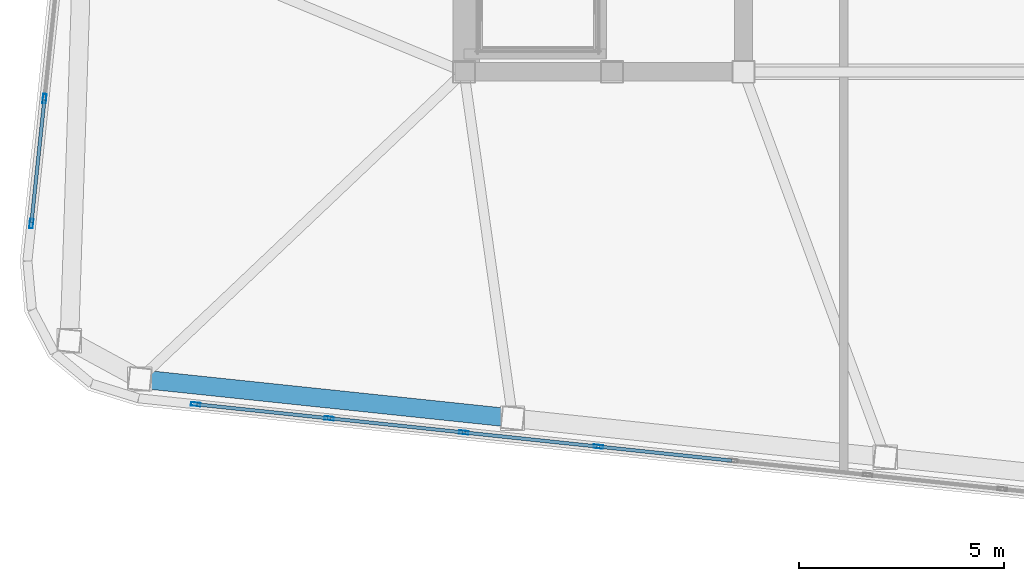
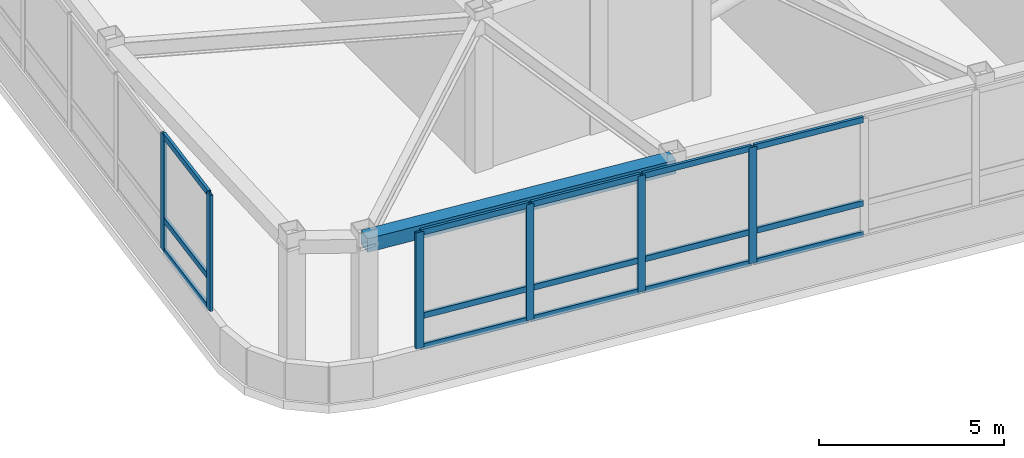
# One storey, part 2 of 23: 21 members, 1 beam, 2 elements without a shape of their own.
"""IFC4 building model written with IfcOpenShell, lengths in metres."""

from ifc_helpers import new_model, si_unit, direction, frame, origin, origin_2d, place, context, subcontext, project, spatial, hollow_rectangle, extrude, material, layer, layer_set, material_profile, profile_set, type_object, element, aggregate, save


model = new_model("IFC4")

# Units and contexts
model_context = context("Model", 3, precision=1e-05, world=origin(), true_north=direction((0.0, 1.0)))
body_context = subcontext(model_context, "Body", "Model", "MODEL_VIEW")
ifc_project = project(units=[si_unit("LENGTHUNIT", "METRE"), si_unit("AREAUNIT", "SQUARE_METRE"), si_unit("VOLUMEUNIT", "CUBIC_METRE"), si_unit("PLANEANGLEUNIT", "RADIAN"), si_unit("MASSUNIT", "GRAM", prefix="KILO")], contexts=[model_context])

# Site, building, storey
site_placement = place(None, origin())
site = spatial("IfcSite", under=ifc_project, at=site_placement, CompositionType="ELEMENT")
building_placement = place(site_placement, origin())
building = spatial("IfcBuilding", under=site, at=building_placement, Name="Voryun Gate Residences", CompositionType="ELEMENT")
storey_placement = place(building_placement, frame((0.0, 0.0, 326.60009765625)))
storey = spatial("IfcBuildingStorey", under=building, at=storey_placement, Name="L80", CompositionType="ELEMENT", Elevation=326.60009765625)

# Beam
ifc_material_1 = material(Name="Steel SM355", Category="steel")
ifc_material_profile_1 = material_profile(ifc_material_1, hollow_rectangle(XDim=0.449951171875, YDim=0.449951171875, WallThickness=0.01806640625, at=origin_2d()), Name="BOX-450x450x18")
ifc_profile_set_1 = profile_set([ifc_material_profile_1], Name="Steel SM355")
beam_type = type_object("IfcBeamType", Name="BM_CROWN_RING", PredefinedType="BEAM", material=ifc_profile_set_1)
beam_placement = place(storey_placement, frame((-27.088623046875, -14.871826171875, 4.7998046875), z_axis=(0.994523919568, -0.104509202498, 0.0), x_axis=(0.104509202498, 0.994523919568, 0.0)))
element("IfcBeam", 1, at=beam_placement, inside=storey, type_object=beam_type, Name="BM-L80-SPAND-01", PredefinedType="BEAM", context=body_context, shape_type="SweptSolid", body=[
    extrude(hollow_rectangle(XDim=0.449951171875, YDim=0.449951171875, WallThickness=0.01806640625, at=origin_2d()), origin(), (0.0, 0.0, 1.0), 9.1201171875),
])

# Curtain wall, members
ifc_material_2 = material(Name="Anodised aluminium", Category="aluminium")
ifc_layer = layer(ifc_material_2, 0.22998046875, Name="CW_SYS_LANTERN_DARK_GLASS")
ifc_layer_set = layer_set([ifc_layer], Name="Anodised aluminium")
curtain_wall_type = type_object("IfcCurtainWallType", Name="CW_SYS_LANTERN_DARK_GLASS", PredefinedType="NOTDEFINED", material=ifc_layer_set)
curtain_wall_1_placement = place(storey_placement, origin())
curtain_wall_1 = element("IfcCurtainWall", 2, at=curtain_wall_1_placement, inside=storey, type_object=curtain_wall_type, Name="Curtain wall CW6-L80-01", PredefinedType="NOTDEFINED")
ifc_material_3 = material(Name="Anodised aluminium", Category="aluminium")
ifc_material_profile_2 = material_profile(ifc_material_3, hollow_rectangle(XDim=0.0849609375, YDim=0.22998046875, WallThickness=0.006103515625, at=origin_2d()), Name="ALU-MULL-230x85x6")
ifc_profile_set_2 = profile_set([ifc_material_profile_2], Name="Anodised aluminium")
member_type_1 = type_object("IfcMemberType", Name="CW_MULL_LANT", PredefinedType="MULLION", material=ifc_profile_set_2)
member_1_placement = place(storey_placement, frame((-15.930908203125, -16.51708984375, 1.18994140625), z_axis=(0.0, 0.0, 1.0), x_axis=(-0.10452775858, -0.994521969434, 0.0)))
member_1 = element("IfcMember", 3, at=member_1_placement, type_object=member_type_1, Name="CW6 mullion 11", PredefinedType="MULLION", context=body_context, shape_type="SweptSolid", body=[
    extrude(hollow_rectangle(XDim=0.0849609375, YDim=0.22998046875, WallThickness=0.006103515625, at=origin_2d()), origin(), (0.0, 0.0, 1.0), 3.8349609375),
])
member_2_placement = place(storey_placement, frame((-19.20751953125, -16.172607421875, 1.18994140625), z_axis=(0.0, 0.0, 1.0), x_axis=(-0.10452775858, -0.994521969434, 0.0)))
member_2 = element("IfcMember", 4, at=member_2_placement, type_object=member_type_1, Name="CW6 mullion 12", PredefinedType="MULLION", context=body_context, shape_type="SweptSolid", body=[
    extrude(hollow_rectangle(XDim=0.0849609375, YDim=0.22998046875, WallThickness=0.006103515625, at=origin_2d()), origin(), (0.0, 0.0, 1.0), 3.8349609375),
])
member_3_placement = place(storey_placement, frame((-22.484130859375, -15.828369140625, 1.18994140625), z_axis=(0.0, 0.0, 1.0), x_axis=(-0.10452775858, -0.994521969434, 0.0)))
member_3 = element("IfcMember", 5, at=member_3_placement, type_object=member_type_1, Name="CW6 mullion 13", PredefinedType="MULLION", context=body_context, shape_type="SweptSolid", body=[
    extrude(hollow_rectangle(XDim=0.0849609375, YDim=0.22998046875, WallThickness=0.006103515625, at=origin_2d()), origin(), (0.0, 0.0, 1.0), 3.8349609375),
])
member_4_placement = place(storey_placement, frame((-25.73095703125, -15.487060546875, 1.18994140625), z_axis=(0.0, 0.0, 1.0), x_axis=(-0.10452775858, -0.994521969434, 0.0)))
member_4 = element("IfcMember", 6, at=member_4_placement, type_object=member_type_1, Name="CW6 mullion 14", PredefinedType="MULLION", context=body_context, shape_type="SweptSolid", body=[
    extrude(hollow_rectangle(XDim=0.0849609375, YDim=0.22998046875, WallThickness=0.006103515625, at=origin_2d()), origin(), (0.0, 0.0, 1.0), 3.8349609375),
])

curtain_wall_2_placement = place(storey_placement, origin())
curtain_wall_2 = element("IfcCurtainWall", 7, at=curtain_wall_2_placement, inside=storey, type_object=curtain_wall_type, Name="Curtain wall CW6-L80-06", PredefinedType="NOTDEFINED")
member_5_placement = place(storey_placement, frame((-29.727783203125, -11.090576171875, 1.18994140625), z_axis=(0.0, 0.0, 1.0), x_axis=(-0.994521943608, 0.104528004296, 0.0)))
member_5 = element("IfcMember", 8, at=member_5_placement, type_object=member_type_1, Name="CW6 mullion 1", PredefinedType="MULLION", context=body_context, shape_type="SweptSolid", body=[
    extrude(hollow_rectangle(XDim=0.0849609375, YDim=0.22998046875, WallThickness=0.006103515625, at=origin_2d()), origin(), (0.0, 0.0, 1.0), 3.8349609375),
])
member_6_placement = place(storey_placement, frame((-29.408203125, -8.04931640625, 1.18994140625), z_axis=(0.0, 0.0, 1.0), x_axis=(-0.994521943608, 0.104528004296, 0.0)))
member_6 = element("IfcMember", 9, at=member_6_placement, type_object=member_type_1, Name="CW6 mullion 2", PredefinedType="MULLION", context=body_context, shape_type="SweptSolid", body=[
    extrude(hollow_rectangle(XDim=0.0849609375, YDim=0.22998046875, WallThickness=0.006103515625, at=origin_2d()), origin(), (0.0, 0.0, 1.0), 3.8349609375),
])

# Member
ifc_material_4 = material(Name="Anodised aluminium", Category="aluminium")
ifc_material_profile_3 = material_profile(ifc_material_4, hollow_rectangle(XDim=0.0849609375, YDim=0.18994140625, WallThickness=0.006103515625, at=origin_2d()), Name="ALU-TRAN-190x85x6")
ifc_profile_set_3 = profile_set([ifc_material_profile_3], Name="Anodised aluminium")
member_type_2 = type_object("IfcMemberType", Name="CW_TRAN_LANT", PredefinedType="USERDEFINED", material=ifc_profile_set_3)
member_7_placement = place(storey_placement, frame((-12.68408203125, -16.8583984375, 1.219970703125), z_axis=(-0.994520745033, 0.104539407398, 0.0), x_axis=(-0.104539407398, -0.994520745033, 0.0)))
member_7 = element("IfcMember", 10, at=member_7_placement, type_object=member_type_2, Name="CW6 transom 10.1", ObjectType="TRANSOM", PredefinedType="USERDEFINED", context=body_context, shape_type="SweptSolid", body=[
    extrude(hollow_rectangle(XDim=0.0849609375, YDim=0.18994140625, WallThickness=0.006103515625, at=origin_2d()), origin(), (0.0, 0.0, 1.0), 3.234619140625),
])

member_8_placement = place(storey_placement, frame((-12.68408203125, -16.8583984375, 2.239990234375), z_axis=(-0.994520745033, 0.104539407398, 0.0), x_axis=(-0.104539407398, -0.994520745033, 0.0)))
member_8 = element("IfcMember", 11, at=member_8_placement, type_object=member_type_2, Name="CW6 transom 10.2", ObjectType="TRANSOM", PredefinedType="USERDEFINED", context=body_context, shape_type="SweptSolid", body=[
    extrude(hollow_rectangle(XDim=0.0849609375, YDim=0.18994140625, WallThickness=0.006103515625, at=origin_2d()), origin(), (0.0, 0.0, 1.0), 3.234619140625),
])

member_9_placement = place(storey_placement, frame((-12.68408203125, -16.8583984375, 4.994873046875), z_axis=(-0.994520745033, 0.104539407398, 0.0), x_axis=(-0.104539407398, -0.994520745033, 0.0)))
member_9 = element("IfcMember", 12, at=member_9_placement, type_object=member_type_2, Name="CW6 transom 10.3", ObjectType="TRANSOM", PredefinedType="USERDEFINED", context=body_context, shape_type="SweptSolid", body=[
    extrude(hollow_rectangle(XDim=0.0849609375, YDim=0.18994140625, WallThickness=0.006103515625, at=origin_2d()), origin(), (0.0, 0.0, 1.0), 3.234619140625),
])

member_10_placement = place(storey_placement, frame((-15.960693359375, -16.513916015625, 1.219970703125), z_axis=(-0.994521569819, 0.104531560613, 0.0), x_axis=(-0.104531560613, -0.994521569819, 0.0)))
member_10 = element("IfcMember", 13, at=member_10_placement, type_object=member_type_2, Name="CW6 transom 11.1", ObjectType="TRANSOM", PredefinedType="USERDEFINED", context=body_context, shape_type="SweptSolid", body=[
    extrude(hollow_rectangle(XDim=0.0849609375, YDim=0.18994140625, WallThickness=0.006103515625, at=origin_2d()), origin(), (0.0, 0.0, 1.0), 3.23486328125),
])

member_11_placement = place(storey_placement, frame((-15.960693359375, -16.513916015625, 2.239990234375), z_axis=(-0.994521569819, 0.104531560613, 0.0), x_axis=(-0.104531560613, -0.994521569819, 0.0)))
member_11 = element("IfcMember", 14, at=member_11_placement, type_object=member_type_2, Name="CW6 transom 11.2", ObjectType="TRANSOM", PredefinedType="USERDEFINED", context=body_context, shape_type="SweptSolid", body=[
    extrude(hollow_rectangle(XDim=0.0849609375, YDim=0.18994140625, WallThickness=0.006103515625, at=origin_2d()), origin(), (0.0, 0.0, 1.0), 3.23486328125),
])

member_12_placement = place(storey_placement, frame((-15.960693359375, -16.513916015625, 4.994873046875), z_axis=(-0.994521569819, 0.104531560613, 0.0), x_axis=(-0.104531560613, -0.994521569819, 0.0)))
member_12 = element("IfcMember", 15, at=member_12_placement, type_object=member_type_2, Name="CW6 transom 11.3", ObjectType="TRANSOM", PredefinedType="USERDEFINED", context=body_context, shape_type="SweptSolid", body=[
    extrude(hollow_rectangle(XDim=0.0849609375, YDim=0.18994140625, WallThickness=0.006103515625, at=origin_2d()), origin(), (0.0, 0.0, 1.0), 3.23486328125),
])

member_13_placement = place(storey_placement, frame((-19.2373046875, -16.16943359375, 1.219970703125), z_axis=(-0.994521569819, 0.104531560613, 0.0), x_axis=(-0.104531560613, -0.994521569819, 0.0)))
member_13 = element("IfcMember", 16, at=member_13_placement, type_object=member_type_2, Name="CW6 transom 12.1", ObjectType="TRANSOM", PredefinedType="USERDEFINED", context=body_context, shape_type="SweptSolid", body=[
    extrude(hollow_rectangle(XDim=0.0849609375, YDim=0.18994140625, WallThickness=0.006103515625, at=origin_2d()), origin(), (0.0, 0.0, 1.0), 3.23486328125),
])

member_14_placement = place(storey_placement, frame((-19.2373046875, -16.16943359375, 2.239990234375), z_axis=(-0.994521569819, 0.104531560613, 0.0), x_axis=(-0.104531560613, -0.994521569819, 0.0)))
member_14 = element("IfcMember", 17, at=member_14_placement, type_object=member_type_2, Name="CW6 transom 12.2", ObjectType="TRANSOM", PredefinedType="USERDEFINED", context=body_context, shape_type="SweptSolid", body=[
    extrude(hollow_rectangle(XDim=0.0849609375, YDim=0.18994140625, WallThickness=0.006103515625, at=origin_2d()), origin(), (0.0, 0.0, 1.0), 3.23486328125),
])

member_15_placement = place(storey_placement, frame((-19.2373046875, -16.16943359375, 4.994873046875), z_axis=(-0.994521569819, 0.104531560613, 0.0), x_axis=(-0.104531560613, -0.994521569819, 0.0)))
member_15 = element("IfcMember", 18, at=member_15_placement, type_object=member_type_2, Name="CW6 transom 12.3", ObjectType="TRANSOM", PredefinedType="USERDEFINED", context=body_context, shape_type="SweptSolid", body=[
    extrude(hollow_rectangle(XDim=0.0849609375, YDim=0.18994140625, WallThickness=0.006103515625, at=origin_2d()), origin(), (0.0, 0.0, 1.0), 3.23486328125),
])

member_16_placement = place(storey_placement, frame((-22.513916015625, -15.8251953125, 1.219970703125), z_axis=(-0.994522138405, 0.104526150903, 0.0), x_axis=(-0.104526150903, -0.994522138405, 0.0)))
member_16 = element("IfcMember", 19, at=member_16_placement, type_object=member_type_2, Name="CW6 transom 13.1", ObjectType="TRANSOM", PredefinedType="USERDEFINED", context=body_context, shape_type="SweptSolid", body=[
    extrude(hollow_rectangle(XDim=0.0849609375, YDim=0.18994140625, WallThickness=0.006103515625, at=origin_2d()), origin(), (0.0, 0.0, 1.0), 3.20458984375),
])

member_17_placement = place(storey_placement, frame((-22.513916015625, -15.8251953125, 2.239990234375), z_axis=(-0.994522138405, 0.104526150903, 0.0), x_axis=(-0.104526150903, -0.994522138405, 0.0)))
member_17 = element("IfcMember", 20, at=member_17_placement, type_object=member_type_2, Name="CW6 transom 13.2", ObjectType="TRANSOM", PredefinedType="USERDEFINED", context=body_context, shape_type="SweptSolid", body=[
    extrude(hollow_rectangle(XDim=0.0849609375, YDim=0.18994140625, WallThickness=0.006103515625, at=origin_2d()), origin(), (0.0, 0.0, 1.0), 3.20458984375),
])

member_18_placement = place(storey_placement, frame((-22.513916015625, -15.8251953125, 4.994873046875), z_axis=(-0.994522138405, 0.104526150903, 0.0), x_axis=(-0.104526150903, -0.994522138405, 0.0)))
member_18 = element("IfcMember", 21, at=member_18_placement, type_object=member_type_2, Name="CW6 transom 13.3", ObjectType="TRANSOM", PredefinedType="USERDEFINED", context=body_context, shape_type="SweptSolid", body=[
    extrude(hollow_rectangle(XDim=0.0849609375, YDim=0.18994140625, WallThickness=0.006103515625, at=origin_2d()), origin(), (0.0, 0.0, 1.0), 3.20458984375),
])

aggregate(curtain_wall_1, [member_1, member_2, member_3, member_4, member_7, member_8, member_9, member_10, member_11, member_12, member_13, member_14, member_15, member_16, member_17, member_18])

member_19_placement = place(storey_placement, frame((-29.724609375, -11.060546875, 1.219970703125), z_axis=(0.104485537102, 0.994526406153, 0.0), x_axis=(-0.994526406153, 0.104485537102, 0.0)))
member_19 = element("IfcMember", 22, at=member_19_placement, type_object=member_type_2, Name="CW6 transom 1.1", ObjectType="TRANSOM", PredefinedType="USERDEFINED", context=body_context, shape_type="SweptSolid", body=[
    extrude(hollow_rectangle(XDim=0.0849609375, YDim=0.18994140625, WallThickness=0.006103515625, at=origin_2d()), origin(), (0.0, 0.0, 1.0), 2.997802734375),
])

member_20_placement = place(storey_placement, frame((-29.724609375, -11.060546875, 2.239990234375), z_axis=(0.104485537102, 0.994526406153, 0.0), x_axis=(-0.994526406153, 0.104485537102, 0.0)))
member_20 = element("IfcMember", 23, at=member_20_placement, type_object=member_type_2, Name="CW6 transom 1.2", ObjectType="TRANSOM", PredefinedType="USERDEFINED", context=body_context, shape_type="SweptSolid", body=[
    extrude(hollow_rectangle(XDim=0.0849609375, YDim=0.18994140625, WallThickness=0.006103515625, at=origin_2d()), origin(), (0.0, 0.0, 1.0), 2.997802734375),
])

member_21_placement = place(storey_placement, frame((-29.724609375, -11.060546875, 4.994873046875), z_axis=(0.104485537102, 0.994526406153, 0.0), x_axis=(-0.994526406153, 0.104485537102, 0.0)))
member_21 = element("IfcMember", 24, at=member_21_placement, type_object=member_type_2, Name="CW6 transom 1.3", ObjectType="TRANSOM", PredefinedType="USERDEFINED", context=body_context, shape_type="SweptSolid", body=[
    extrude(hollow_rectangle(XDim=0.0849609375, YDim=0.18994140625, WallThickness=0.006103515625, at=origin_2d()), origin(), (0.0, 0.0, 1.0), 2.997802734375),
])

aggregate(curtain_wall_2, [member_5, member_6, member_19, member_20, member_21])

save(model, "model.ifc")
